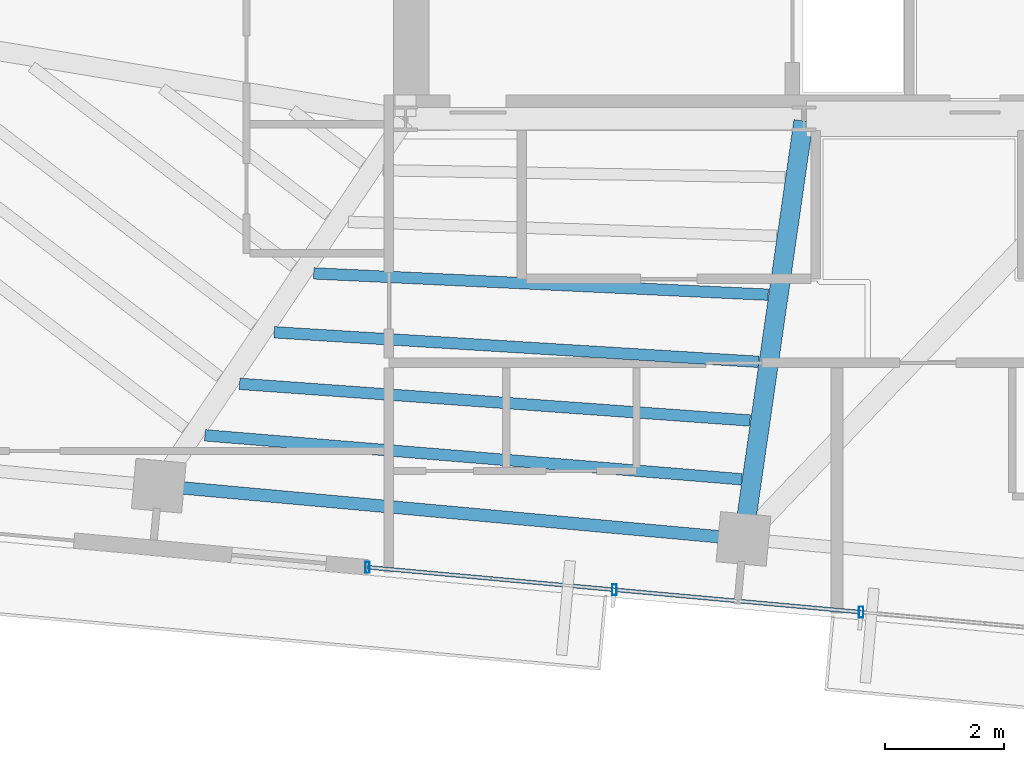
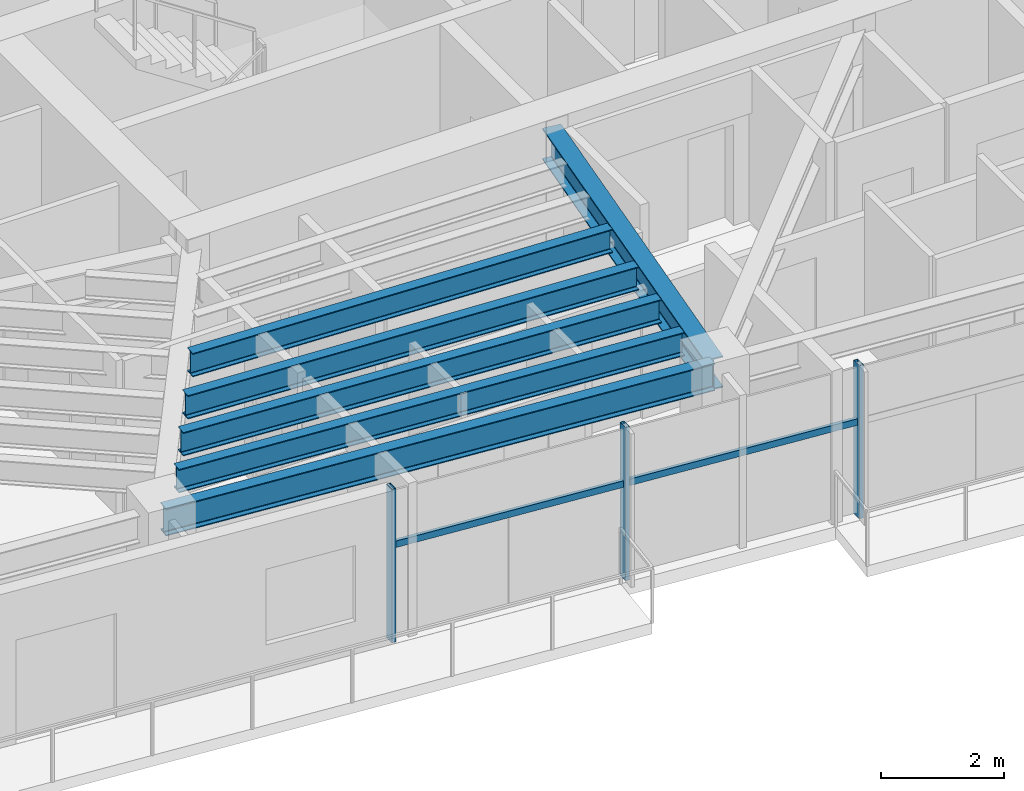
# One storey, part 6 of 22: 6 beams, 5 members, 1 element without a shape of its own.
"""IFC4 building model written with IfcOpenShell, lengths in metres."""

from ifc_helpers import new_model, si_unit, direction, frame, origin, origin_2d, place, context, subcontext, project, spatial, hollow_rectangle, i_section, extrude, source, transform, mapped, material, material_profile, profile_set, type_object, type_shapes, element, aggregate, save


model = new_model("IFC4")

# Units and contexts
model_context = context("Model", 3, precision=1e-05, world=origin(), true_north=direction((0.0, 1.0)))
body_context = subcontext(model_context, "Body", "Model", "MODEL_VIEW")
ifc_project = project(units=[si_unit("LENGTHUNIT", "METRE"), si_unit("AREAUNIT", "SQUARE_METRE"), si_unit("VOLUMEUNIT", "CUBIC_METRE"), si_unit("PLANEANGLEUNIT", "RADIAN"), si_unit("MASSUNIT", "GRAM", prefix="KILO")], contexts=[model_context])

# Site, building, storey
site_placement = place(None, origin())
site = spatial("IfcSite", under=ifc_project, at=site_placement, CompositionType="ELEMENT")
building_placement = place(site_placement, origin())
building = spatial("IfcBuilding", under=site, at=building_placement, Name="Astriad Promenade Condominiums", CompositionType="ELEMENT")
storey_placement = place(building_placement, frame((0.0, 0.0, 219.89990234375)))
storey = spatial("IfcBuildingStorey", under=building, at=storey_placement, Name="L63", CompositionType="ELEMENT", Elevation=219.89990234375)

# Beams
ifc_material_1 = material(Name="Steel ASTM A992 Grade 50", Category="steel")
ifc_material_profile_1 = material_profile(ifc_material_1, i_section(OverallWidth=0.210693359375, OverallDepth=0.53955078125, WebThickness=0.01171875, FlangeThickness=0.018798828125, FilletRadius=0.0166015625, at=origin_2d()), Name="W21X73")
ifc_profile_set_1 = profile_set([ifc_material_profile_1], Name="Steel ASTM A992 Grade 50")
beam_type_1 = type_object("IfcBeamType", Name="STEEL SPANDREL BEAM W21X73", PredefinedType="SPANDREL", material=ifc_profile_set_1)
shared_shape_1 = source(origin(), body_context, "Body", "SweptSolid", [
    extrude(i_section(OverallWidth=0.210693359375, OverallDepth=0.53955078125, WebThickness=0.01171875, FlangeThickness=0.018798828125, FilletRadius=0.0166015625, at=origin_2d()), origin(), (0.0, 0.0, 1.0), 9.81982421875),
])
type_shapes(beam_type_1, [shared_shape_1])
beam_1_placement = place(storey_placement, frame((22.281005859375, 11.205322265625, 2.7705078125), z_axis=(0.995885459014, -0.090620927631, 0.0), x_axis=(0.090620927631, 0.995885459014, 0.0)))
element("IfcBeam", 1, at=beam_1_placement, inside=storey, type_object=beam_type_1, Name="Perimeter Spandrel Beam SP-S2-L63", PredefinedType="SPANDREL", context=body_context, shape_type="MappedRepresentation", body=[
    mapped(shared_shape_1, transform((0.0, 0.0, 0.0), scale=1.0)),
])
ifc_material_profile_2 = material_profile(ifc_material_1, i_section(OverallWidth=0.326416015625, OverallDepth=0.621826171875, WebThickness=0.015380859375, FlangeThickness=0.0244140625, FilletRadius=0.017822265625, at=origin_2d()), Name="W24X131")
ifc_profile_set_2 = profile_set([ifc_material_profile_2], Name="Steel ASTM A992 Grade 50")
beam_type_2 = type_object("IfcBeamType", Name="STEEL FLOOR GIRDER W24X131", PredefinedType="BEAM", material=ifc_profile_set_2)
shared_shape_2 = source(origin(), body_context, "Body", "SweptSolid", [
    extrude(i_section(OverallWidth=0.326416015625, OverallDepth=0.621826171875, WebThickness=0.015380859375, FlangeThickness=0.0244140625, FilletRadius=0.017822265625, at=origin_2d()), origin(), (0.0, 0.0, 1.0), 7.081298828125),
])
type_shapes(beam_type_2, [shared_shape_2])
beam_2_placement = place(storey_placement, frame((32.10595703125, 10.351318359375, 2.729248046875), z_axis=(0.142391481124, 0.989810419274, 0.0), x_axis=(-0.989810419274, 0.142391481124, 0.0)))
element("IfcBeam", 2, at=beam_2_placement, inside=storey, type_object=beam_type_2, Name="Primary Floor Girder PG-C1-L63", PredefinedType="BEAM", context=body_context, shape_type="MappedRepresentation", body=[
    mapped(shared_shape_2, transform((0.0, 0.0, 0.0), scale=1.0)),
])
ifc_material_profile_3 = material_profile(ifc_material_1, i_section(OverallWidth=0.19287109375, OverallDepth=0.466064453125, WebThickness=0.011474609375, FlangeThickness=0.01904296875, FilletRadius=0.01513671875, at=origin_2d()), Name="W18X65")
ifc_profile_set_3 = profile_set([ifc_material_profile_3], Name="Steel ASTM A992 Grade 50")
beam_type_3 = type_object("IfcBeamType", Name="STEEL FLOOR JOIST W18X65", PredefinedType="JOIST", material=ifc_profile_set_3)
shared_shape_3 = source(origin(), body_context, "Body", "SweptSolid", [
    extrude(i_section(OverallWidth=0.19287109375, OverallDepth=0.466064453125, WebThickness=0.011474609375, FlangeThickness=0.01904296875, FilletRadius=0.01513671875, at=origin_2d()), origin(), (0.0, 0.0, 1.0), 9.08056640625),
])
beam_3_placement = place(storey_placement, frame((23.019775390625, 12.059814453125, 2.80712890625), z_axis=(0.996660857814, -0.081652522934, 0.0), x_axis=(0.081652522934, 0.996660857814, 0.0)))
element("IfcBeam", 3, at=beam_3_placement, inside=storey, type_object=beam_type_3, Name="Secondary Composite Floor Joist JCW-1-L63", PredefinedType="JOIST", context=body_context, shape_type="MappedRepresentation", body=[
    mapped(shared_shape_3, transform((0.0, 0.0, 0.0), scale=1.0)),
])
shared_shape_4 = source(origin(), body_context, "Body", "SweptSolid", [
    extrude(i_section(OverallWidth=0.19287109375, OverallDepth=0.466064453125, WebThickness=0.011474609375, FlangeThickness=0.01904296875, FilletRadius=0.01513671875, at=origin_2d()), origin(), (0.0, 0.0, 1.0), 8.631591796875),
])
beam_4_placement = place(storey_placement, frame((23.603271484375, 12.92822265625, 2.80712890625), z_axis=(0.997424124914, -0.071729457259, 0.0), x_axis=(0.071729457259, 0.997424124914, 0.0)))
element("IfcBeam", 4, at=beam_4_placement, inside=storey, type_object=beam_type_3, Name="Secondary Composite Floor Joist JCW-2-L63", PredefinedType="JOIST", context=body_context, shape_type="MappedRepresentation", body=[
    mapped(shared_shape_4, transform((0.0, 0.0, 0.0), scale=1.0)),
])
shared_shape_5 = source(origin(), body_context, "Body", "SweptSolid", [
    extrude(i_section(OverallWidth=0.19287109375, OverallDepth=0.466064453125, WebThickness=0.011474609375, FlangeThickness=0.01904296875, FilletRadius=0.01513671875, at=origin_2d()), origin(), (0.0, 0.0, 1.0), 8.183349609375),
])
beam_5_placement = place(storey_placement, frame((24.186767578125, 13.797119140625, 2.80712890625), z_axis=(0.998148077796, -0.06083103478, 0.0), x_axis=(0.06083103478, 0.998148077796, 0.0)))
element("IfcBeam", 5, at=beam_5_placement, inside=storey, type_object=beam_type_3, Name="Secondary Composite Floor Joist JCW-3-L63", PredefinedType="JOIST", context=body_context, shape_type="MappedRepresentation", body=[
    mapped(shared_shape_5, transform((0.0, 0.0, 0.0), scale=1.0)),
])
shared_shape_6 = source(origin(), body_context, "Body", "SweptSolid", [
    extrude(i_section(OverallWidth=0.19287109375, OverallDepth=0.466064453125, WebThickness=0.011474609375, FlangeThickness=0.01904296875, FilletRadius=0.01513671875, at=origin_2d()), origin(), (0.0, 0.0, 1.0), 7.672119140625),
])
type_shapes(beam_type_3, [shared_shape_3, shared_shape_4, shared_shape_5, shared_shape_6])
beam_6_placement = place(storey_placement, frame((24.85400390625, 14.790283203125, 2.80712890625), z_axis=(0.998903848677, -0.04680919886, 0.0), x_axis=(0.04680919886, 0.998903848677, 0.0)))
element("IfcBeam", 6, at=beam_6_placement, inside=storey, type_object=beam_type_3, Name="Secondary Composite Floor Joist JCW-4-L63", PredefinedType="JOIST", context=body_context, shape_type="MappedRepresentation", body=[
    mapped(shared_shape_6, transform((0.0, 0.0, 0.0), scale=1.0)),
])

# Curtain wall, members
ifc_material_2 = material(Name="Anodised aluminium Black Dark Glass Unitised", Category="aluminium")
curtain_wall_type = type_object("IfcCurtainWallType", Name="CW-B5-DARK", PredefinedType="USERDEFINED", material=ifc_material_2)
curtain_wall_placement = place(storey_placement, origin())
curtain_wall = element("IfcCurtainWall", 7, at=curtain_wall_placement, inside=storey, type_object=curtain_wall_type, Name="CW-L63-S", ObjectType="UNITISED_CURTAIN_WALL", PredefinedType="USERDEFINED")
ifc_material_3 = material(Name="Anodised aluminium 6063-T6 Black", Category="aluminium")
ifc_material_profile_4 = material_profile(ifc_material_3, hollow_rectangle(XDim=0.06494140625, YDim=0.1298828125, WallThickness=0.00390625, at=origin_2d()), Name="ALU-TRN-65X130")
ifc_profile_set_4 = profile_set([ifc_material_profile_4], Name="Anodised aluminium 6063-T6 Black")
member_type_1 = type_object("IfcMemberType", Name="TRN-ALU-TRN-65X130", PredefinedType="USERDEFINED", material=ifc_profile_set_4)
shared_shape_7 = source(origin(), body_context, "Body", "SweptSolid", [
    extrude(hollow_rectangle(XDim=0.06494140625, YDim=0.1298828125, WallThickness=0.00390625, at=origin_2d()), origin(), (0.0, 0.0, 1.0), 4.179931640625),
])
type_shapes(member_type_1, [shared_shape_7])
member_1_placement = place(storey_placement, frame((34.086669921875, 9.07666015625, 1.885009765625), z_axis=(-0.995883146811, 0.090646334165, 0.0), x_axis=(-0.090646334165, -0.995883146811, 0.0)))
member_1 = element("IfcMember", 8, at=member_1_placement, type_object=member_type_1, Name="CW-L63-S-TRN-01-0", ObjectType="TRANSOM", PredefinedType="USERDEFINED", context=body_context, shape_type="MappedRepresentation", body=[
    mapped(shared_shape_7, transform((0.0, 0.0, 0.0), scale=1.0)),
])
member_2_placement = place(storey_placement, frame((29.923828125, 9.45556640625, 1.885009765625), z_axis=(-0.995883146811, 0.090646334165, 0.0), x_axis=(-0.090646334165, -0.995883146811, 0.0)))
member_2 = element("IfcMember", 9, at=member_2_placement, type_object=member_type_1, Name="CW-L63-S-TRN-02-0", ObjectType="TRANSOM", PredefinedType="USERDEFINED", context=body_context, shape_type="MappedRepresentation", body=[
    mapped(shared_shape_7, transform((0.0, 0.0, 0.0), scale=1.0)),
])
ifc_material_profile_5 = material_profile(ifc_material_3, hollow_rectangle(XDim=0.074951171875, YDim=0.18505859375, WallThickness=0.00439453125, at=origin_2d()), Name="ALU-MUL-75X185")
ifc_profile_set_5 = profile_set([ifc_material_profile_5], Name="Anodised aluminium 6063-T6 Black")
member_type_2 = type_object("IfcMemberType", Name="MUL-ALU-MUL-75X185", PredefinedType="MULLION", material=ifc_profile_set_5)
shared_shape_8 = source(origin(), body_context, "Body", "SweptSolid", [
    extrude(hollow_rectangle(XDim=0.074951171875, YDim=0.18505859375, WallThickness=0.00439453125, at=origin_2d()), origin(), (0.0, 0.0, 1.0), 3.0400390625),
])
type_shapes(member_type_2, [shared_shape_8])
member_3_placement = place(storey_placement, frame((34.086669921875, 9.07666015625, 0.0), z_axis=(0.0, 0.0, 1.0), x_axis=(1.0, 0.0, 0.0)))
member_3 = element("IfcMember", 10, at=member_3_placement, type_object=member_type_2, Name="CW-L63-S-MUL-01", PredefinedType="MULLION", context=body_context, shape_type="MappedRepresentation", body=[
    mapped(shared_shape_8, transform((0.0, 0.0, 0.0), scale=1.0)),
])
member_4_placement = place(storey_placement, frame((29.923828125, 9.45556640625, 0.0), z_axis=(0.0, 0.0, 1.0), x_axis=(1.0, 0.0, 0.0)))
member_4 = element("IfcMember", 11, at=member_4_placement, type_object=member_type_2, Name="CW-L63-S-MUL-02", PredefinedType="MULLION", context=body_context, shape_type="MappedRepresentation", body=[
    mapped(shared_shape_8, transform((0.0, 0.0, 0.0), scale=1.0)),
])
member_5_placement = place(storey_placement, frame((25.760986328125, 9.83447265625, 0.0), z_axis=(0.0, 0.0, 1.0), x_axis=(1.0, 0.0, 0.0)))
member_5 = element("IfcMember", 12, at=member_5_placement, type_object=member_type_2, Name="CW-L63-S-MUL-03", PredefinedType="MULLION", context=body_context, shape_type="MappedRepresentation", body=[
    mapped(shared_shape_8, transform((0.0, 0.0, 0.0), scale=1.0)),
])
aggregate(curtain_wall, [member_3, member_4, member_5, member_1, member_2])

save(model, "model.ifc")
